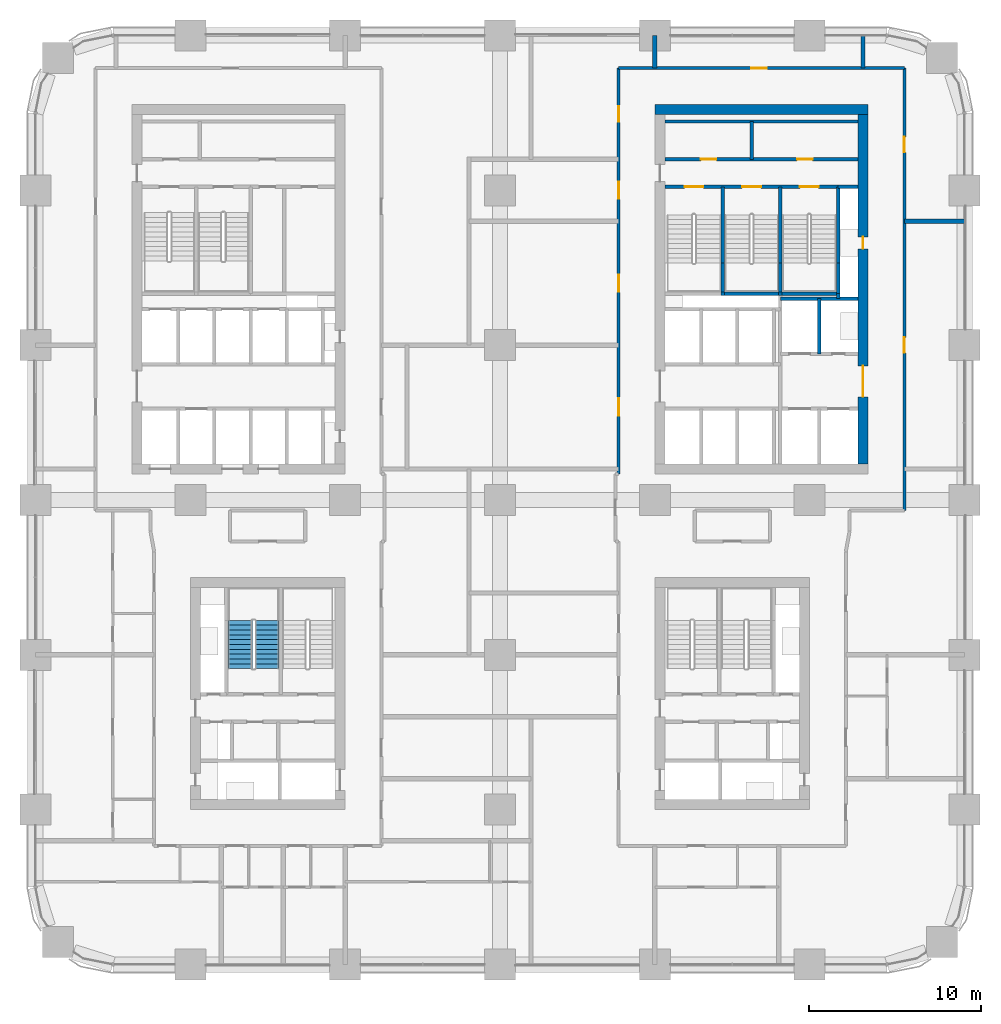
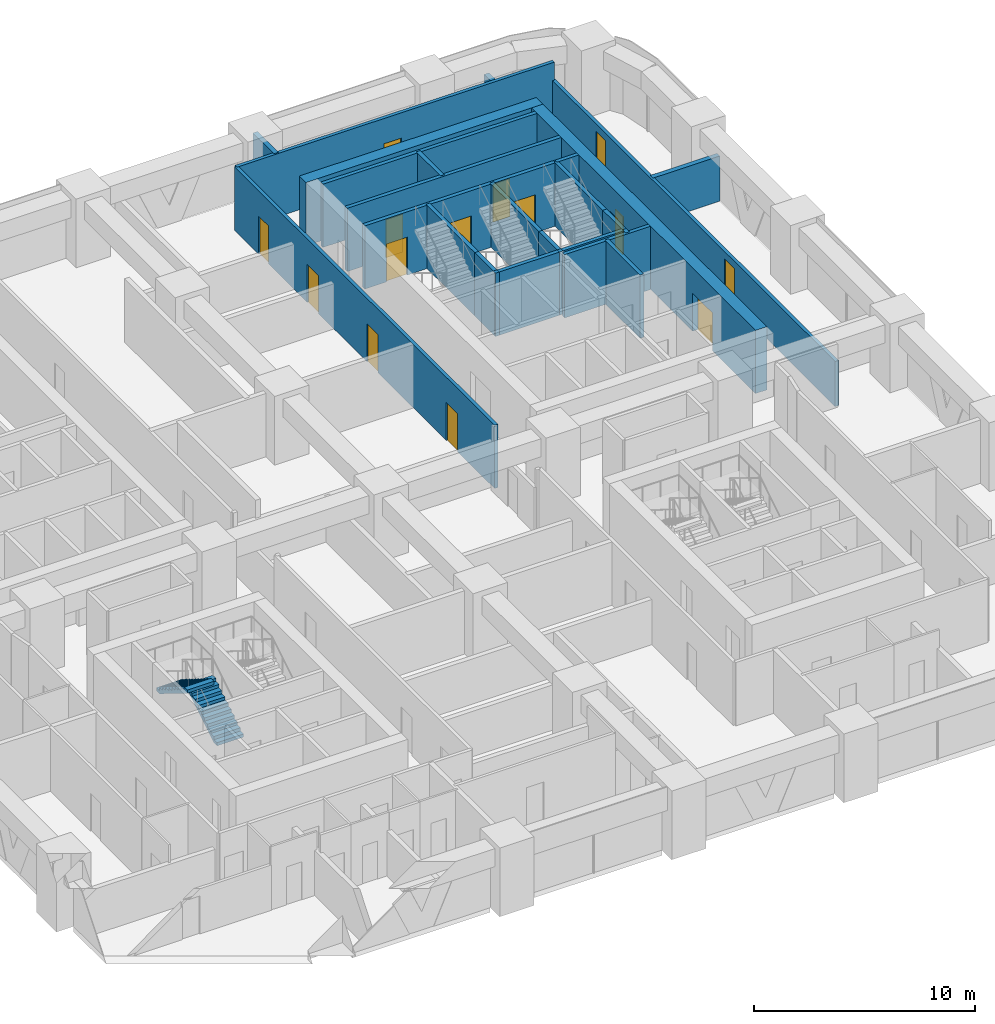
# One storey, part 18 of 21: 26 walls, 14 doors, 2 stair flights, 14 openings, 1 element without a shape of its own.
"""IFC4 building model written with IfcOpenShell, lengths in metres."""

from ifc_helpers import new_model, si_unit, direction, frame, frame_2d, origin, place, context, subcontext, project, spatial, polyline, rectangle, outline, extrude, material, layer, layer_set, type_object, element, fill, aggregate, save


model = new_model("IFC4")

# Units and contexts
model_context = context("Model", 3, precision=1e-05, world=origin(), true_north=direction((0.0, 1.0)))
body_context = subcontext(model_context, "Body", "Model", "MODEL_VIEW")
ifc_project = project(units=[si_unit("LENGTHUNIT", "METRE"), si_unit("AREAUNIT", "SQUARE_METRE"), si_unit("VOLUMEUNIT", "CUBIC_METRE"), si_unit("PLANEANGLEUNIT", "RADIAN"), si_unit("MASSUNIT", "GRAM", prefix="KILO")], contexts=[model_context])

# Site, building, storey
site_placement = place(None, origin())
site = spatial("IfcSite", under=ifc_project, at=site_placement, CompositionType="ELEMENT")
building_placement = place(site_placement, origin())
building = spatial("IfcBuilding", under=site, at=building_placement, Name="Tessera Arch", CompositionType="ELEMENT")
storey_placement = place(building_placement, frame((0.0, 0.0, 69.0)))
storey = spatial("IfcBuildingStorey", under=building, at=storey_placement, Name="L15", CompositionType="ELEMENT", Elevation=69.0)

# Wall
ifc_material_1 = material(Name="Gypsum board on steel stud", Category="steel")
ifc_layer_1 = layer(ifc_material_1, 0.125)
ifc_layer_set_1 = layer_set([ifc_layer_1], Name="Core partition 125 EI 60")
wall_type_1 = type_object("IfcWallType", Name="Core partition 125 EI 60", PredefinedType="PARTITIONING", material=ifc_layer_set_1)
wall_1_placement = place(storey_placement, frame((41.639892578125, 46.800048828125, 0.0), z_axis=(0.0, 0.0, 1.0), x_axis=(0.0, 1.0, 0.0)))
element("IfcWall", 1, at=wall_1_placement, inside=storey, type_object=wall_type_1, Name="L15 C1 partition wall 7", PredefinedType="PARTITIONING", context=body_context, shape_type="SweptSolid", body=[
    extrude(rectangle(XDim=2.199951171875, YDim=0.199951171875, at=frame_2d((1.10009765625, 0.0))), origin(), (0.0, 0.0, 1.0), 3.5),
])

# Wall, openings, doors
wall_2_placement = place(storey_placement, frame((36.60009765625, 46.800048828125, 0.0), z_axis=(0.0, 0.0, 1.0), x_axis=(1.0, 0.0, 0.0)))
wall_2 = element("IfcWall", 2, at=wall_2_placement, inside=storey, type_object=wall_type_1, Name="L15 C1 partition wall 31", PredefinedType="PARTITIONING", context=body_context, shape_type="SweptSolid", body=[
    extrude(rectangle(XDim=11.199951171875, YDim=0.199951171875, at=frame_2d((5.60009765625, 0.0))), origin(), (0.0, 0.0, 1.0), 3.5),
])
opening_1_placement = place(wall_2_placement, frame((2.070068359375, 0.0, 0.0)))
opening_1 = element("IfcOpeningElement", 3, at=opening_1_placement, cuts=wall_2, Name="Opening L15-C12", PredefinedType="OPENING", context=body_context, shape_type="SweptSolid", body=[
    extrude(rectangle(XDim=0.89990234375, YDim=2.10009765625, at=frame_2d((0.449951171875, 1.050048828125))), frame((0.0, 0.10986328125, 0.0), z_axis=(0.0, -1.0, 0.0), x_axis=(1.0, 0.0, 0.0)), (0.0, 0.0, 1.0), 0.219970703125),
])
opening_2_placement = place(wall_2_placement, frame((7.669921875, 0.0, 0.0)))
opening_2 = element("IfcOpeningElement", 4, at=opening_2_placement, cuts=wall_2, Name="Opening L15-C13", PredefinedType="OPENING", context=body_context, shape_type="SweptSolid", body=[
    extrude(rectangle(XDim=0.89990234375, YDim=2.10009765625, at=frame_2d((0.449951171875, 1.050048828125))), frame((0.0, 0.10986328125, 0.0), z_axis=(0.0, -1.0, 0.0), x_axis=(1.0, 0.0, 0.0)), (0.0, 0.0, 1.0), 0.219970703125),
])
ifc_material_2 = material(Name="Steel door leaf", Category="steel")
door_type_1 = type_object("IfcDoorType", Name="Store door FD30S 900 x 2100", OperationType="SINGLE_SWING_LEFT", PredefinedType="DOOR", material=ifc_material_2)
door_1_placement = place(opening_1_placement, origin())
door_1 = element("IfcDoor", 5, at=door_1_placement, inside=storey, type_object=door_type_1, Name="L15 C1 door 12 C12 type D09", OperationType="SINGLE_SWING_LEFT", OverallHeight=2.10009765625, OverallWidth=0.89990234375, PredefinedType="DOOR", context=body_context, shape_type="SweptSolid", body=[
    extrude(rectangle(XDim=0.89990234375, YDim=2.10009765625, at=frame_2d((0.449951171875, 1.050048828125))), frame((0.0, 0.02490234375, 0.0), z_axis=(0.0, -1.0, 0.0), x_axis=(1.0, 0.0, 0.0)), (0.0, 0.0, 1.0), 0.050048828125),
])
fill(opening_1, door_1)
door_2_placement = place(opening_2_placement, origin())
door_2 = element("IfcDoor", 6, at=door_2_placement, inside=storey, type_object=door_type_1, Name="L15 C1 door 13 C13 type D09", OperationType="SINGLE_SWING_RIGHT", OverallHeight=2.10009765625, OverallWidth=0.89990234375, PredefinedType="DOOR", context=body_context, shape_type="SweptSolid", body=[
    extrude(rectangle(XDim=0.89990234375, YDim=2.10009765625, at=frame_2d((0.449951171875, 1.050048828125))), frame((0.0, 0.02490234375, 0.0), z_axis=(0.0, -1.0, 0.0), x_axis=(1.0, 0.0, 0.0)), (0.0, 0.0, 1.0), 0.050048828125),
])
fill(opening_2, door_2)

# Walls
wall_3_placement = place(storey_placement, frame((36.60009765625, 49.0, 0.0), z_axis=(0.0, 0.0, 1.0), x_axis=(1.0, 0.0, 0.0)))
element("IfcWall", 7, at=wall_3_placement, inside=storey, type_object=wall_type_1, Name="L15 C1 partition wall 32", PredefinedType="PARTITIONING", context=body_context, shape_type="SweptSolid", body=[
    extrude(rectangle(XDim=11.199951171875, YDim=0.199951171875, at=frame_2d((5.60009765625, 0.0))), origin(), (0.0, 0.0, 1.0), 3.5),
])
ifc_material_3 = material(Name="Concrete C70/85", Category="concrete")
ifc_layer_2 = layer(ifc_material_3, 0.60009765625)
ifc_layer_set_2 = layer_set([ifc_layer_2], Name="Core shell wall 600 C70-85")
wall_type_2 = type_object("IfcWallType", Name="Core shell wall 600 C70-85", PredefinedType="SHEAR", material=ifc_layer_set_2)
wall_4_placement = place(storey_placement, frame((36.0, 49.699951171875, 0.0), z_axis=(0.0, 0.0, 1.0), x_axis=(1.0, 0.0, 0.0)))
element("IfcWall", 8, at=wall_4_placement, inside=storey, type_object=wall_type_2, Name="L15 C1 core wall N", PredefinedType="SHEAR", context=body_context, shape_type="SweptSolid", body=[
    extrude(rectangle(XDim=12.39990234375, YDim=0.60009765625, at=frame_2d((6.199951171875, 0.0))), origin(), (0.0, 0.0, 1.0), 3.5),
])

# Wall, openings, doors
wall_5_placement = place(storey_placement, frame((48.10009765625, 29.10009765625, 0.0), z_axis=(0.0, 0.0, 1.0), x_axis=(0.0, 1.0, 0.0)))
wall_5 = element("IfcWall", 9, at=wall_5_placement, inside=storey, type_object=wall_type_2, Name="L15 C1 core wall E", PredefinedType="SHEAR", context=body_context, shape_type="SweptSolid", body=[
    extrude(rectangle(XDim=20.2998046875, YDim=0.60009765625, at=frame_2d((10.14990234375, 0.0))), origin(), (0.0, 0.0, 1.0), 3.5),
])
opening_3_placement = place(wall_5_placement, frame((12.5, 0.0, 0.0)))
opening_3 = element("IfcOpeningElement", 10, at=opening_3_placement, cuts=wall_5, Name="Opening L15-C08", PredefinedType="OPENING", context=body_context, shape_type="SweptSolid", body=[
    extrude(rectangle(XDim=0.699951171875, YDim=2.10009765625, at=frame_2d((0.35009765625, 1.050048828125))), frame((0.0, 0.31005859375, 0.0), z_axis=(0.0, -1.0, 0.0), x_axis=(1.0, 0.0, 0.0)), (0.0, 0.0, 1.0), 0.6201171875),
])
opening_4_placement = place(wall_5_placement, frame((3.89990234375, 0.0, 0.0)))
opening_4 = element("IfcOpeningElement", 11, at=opening_4_placement, cuts=wall_5, Name="Opening L15-C09", PredefinedType="OPENING", context=body_context, shape_type="SweptSolid", body=[
    extrude(rectangle(XDim=1.800048828125, YDim=2.10009765625, at=frame_2d((0.89990234375, 1.050048828125))), frame((0.0, 0.31005859375, 0.0), z_axis=(0.0, -1.0, 0.0), x_axis=(1.0, 0.0, 0.0)), (0.0, 0.0, 1.0), 0.6201171875),
])
ifc_material_4 = material(Name="Glazed steel door leaf", Category="steel")
door_type_2 = type_object("IfcDoorType", Name="Lobby double door FD60 1800 x 2100", OperationType="DOUBLE_DOOR_SINGLE_SWING", PredefinedType="DOOR", material=ifc_material_4)
door_3_placement = place(opening_4_placement, origin())
door_3 = element("IfcDoor", 12, at=door_3_placement, inside=storey, type_object=door_type_2, Name="L15 C1 door 9 C09 type D19", OperationType="DOUBLE_DOOR_SINGLE_SWING", OverallHeight=2.10009765625, OverallWidth=1.800048828125, PredefinedType="DOOR", context=body_context, shape_type="SweptSolid", body=[
    extrude(rectangle(XDim=1.800048828125, YDim=2.10009765625, at=frame_2d((0.89990234375, 1.050048828125))), frame((0.0, 0.02490234375, 0.0), z_axis=(0.0, -1.0, 0.0), x_axis=(1.0, 0.0, 0.0)), (0.0, 0.0, 1.0), 0.050048828125),
])
fill(opening_4, door_3)
ifc_material_5 = material(Name="Steel door leaf", Category="steel")
door_type_3 = type_object("IfcDoorType", Name="Service shaft door FD60 700 x 2100", OperationType="SINGLE_SWING_LEFT", PredefinedType="DOOR", material=ifc_material_5)
door_4_placement = place(opening_3_placement, origin())
door_4 = element("IfcDoor", 13, at=door_4_placement, inside=storey, type_object=door_type_3, Name="L15 C1 door 8 C08 type D07", OperationType="SINGLE_SWING_RIGHT", OverallHeight=2.10009765625, OverallWidth=0.699951171875, PredefinedType="DOOR", context=body_context, shape_type="SweptSolid", body=[
    extrude(rectangle(XDim=0.699951171875, YDim=2.10009765625, at=frame_2d((0.35009765625, 1.050048828125))), frame((0.0, 0.02490234375, 0.0), z_axis=(0.0, -1.0, 0.0), x_axis=(1.0, 0.0, 0.0)), (0.0, 0.0, 1.0), 0.050048828125),
])
fill(opening_3, door_4)

# Wall, opening, door
ifc_material_6 = material(Name="Gypsum board on deep steel stud with mineral wool", Category="steel")
ifc_layer_3 = layer(ifc_material_6, 0.175048828125)
ifc_layer_set_3 = layer_set([ifc_layer_3], Name="Corridor wall 175 EI 60")
wall_type_3 = type_object("IfcWallType", Name="Corridor wall 175 EI 60", PredefinedType="PARTITIONING", material=ifc_layer_set_3)
wall_6_placement = place(storey_placement, frame((33.89990234375, 52.10009765625, 0.0), z_axis=(0.0, 0.0, 1.0), x_axis=(1.0, 0.0, 0.0)))
wall_6 = element("IfcWall", 14, at=wall_6_placement, inside=storey, type_object=wall_type_3, Name="L15 partition 14", PredefinedType="PARTITIONING", context=body_context, shape_type="SweptSolid", body=[
    extrude(rectangle(XDim=16.60009765625, YDim=0.175048828125, at=frame_2d((8.300048828125, 0.0))), origin(), (0.0, 0.0, 1.0), 3.5),
])
opening_5_placement = place(wall_6_placement, frame((7.7021484375, 0.0, 0.0)))
opening_5 = element("IfcOpeningElement", 15, at=opening_5_placement, cuts=wall_6, Name="Opening L15-D047", PredefinedType="OPENING", context=body_context, shape_type="SweptSolid", body=[
    extrude(rectangle(XDim=0.89990234375, YDim=2.10009765625, at=frame_2d((0.449951171875, 1.050048828125))), frame((0.0, 0.097412109375, 0.0), z_axis=(0.0, -1.0, 0.0), x_axis=(1.0, 0.0, 0.0)), (0.0, 0.0, 1.0), 0.195068359375),
])
ifc_material_7 = material(Name="Timber door leaf", Category="wood")
door_type_4 = type_object("IfcDoorType", Name="Room door 900 x 2100", OperationType="SINGLE_SWING_LEFT", PredefinedType="DOOR", material=ifc_material_7)
door_5_placement = place(opening_5_placement, origin())
door_5 = element("IfcDoor", 16, at=door_5_placement, inside=storey, type_object=door_type_4, Name="L15 door D047 type D01", OperationType="SINGLE_SWING_LEFT", OverallHeight=2.10009765625, OverallWidth=0.89990234375, PredefinedType="DOOR", context=body_context, shape_type="SweptSolid", body=[
    extrude(rectangle(XDim=0.89990234375, YDim=2.10009765625, at=frame_2d((0.449951171875, 1.050048828125))), frame((0.0, 0.02490234375, 0.0), z_axis=(0.0, -1.0, 0.0), x_axis=(1.0, 0.0, 0.0)), (0.0, 0.0, 1.0), 0.050048828125),
])
fill(opening_5, door_5)

# Wall, openings, doors
wall_7_placement = place(storey_placement, frame((33.89990234375, 28.52001953125, 0.0), z_axis=(0.0, 0.0, 1.0), x_axis=(0.0, 1.0, 0.0)))
wall_7 = element("IfcWall", 17, at=wall_7_placement, inside=storey, type_object=wall_type_3, Name="L15 partition 25", PredefinedType="PARTITIONING", context=body_context, shape_type="SweptSolid", body=[
    extrude(rectangle(XDim=23.580078125, YDim=0.175048828125, at=frame_2d((11.7900390625, 0.0))), origin(), (0.0, 0.0, 1.0), 3.5),
])
opening_6_placement = place(wall_7_placement, frame((3.3798828125, 0.0, 0.0)))
opening_6 = element("IfcOpeningElement", 18, at=opening_6_placement, cuts=wall_7, Name="Opening L15-D038", PredefinedType="OPENING", context=body_context, shape_type="SweptSolid", body=[
    extrude(rectangle(XDim=1.0, YDim=2.10009765625, at=frame_2d((0.5, 1.050048828125))), frame((0.0, 0.097412109375, 0.0), z_axis=(0.0, -1.0, 0.0), x_axis=(1.0, 0.0, 0.0)), (0.0, 0.0, 1.0), 0.195068359375),
])
opening_7_placement = place(wall_7_placement, frame((10.580078125, 0.0, 0.0)))
opening_7 = element("IfcOpeningElement", 19, at=opening_7_placement, cuts=wall_7, Name="Opening L15-D040", PredefinedType="OPENING", context=body_context, shape_type="SweptSolid", body=[
    extrude(rectangle(XDim=1.0, YDim=2.10009765625, at=frame_2d((0.5, 1.050048828125))), frame((0.0, 0.097412109375, 0.0), z_axis=(0.0, -1.0, 0.0), x_axis=(1.0, 0.0, 0.0)), (0.0, 0.0, 1.0), 0.195068359375),
])
opening_8_placement = place(wall_7_placement, frame((15.97998046875, 0.0, 0.0)))
opening_8 = element("IfcOpeningElement", 20, at=opening_8_placement, cuts=wall_7, Name="Opening L15-D042", PredefinedType="OPENING", context=body_context, shape_type="SweptSolid", body=[
    extrude(rectangle(XDim=1.0, YDim=2.10009765625, at=frame_2d((0.5, 1.050048828125))), frame((0.0, 0.097412109375, 0.0), z_axis=(0.0, -1.0, 0.0), x_axis=(1.0, 0.0, 0.0)), (0.0, 0.0, 1.0), 0.195068359375),
])
opening_9_placement = place(wall_7_placement, frame((20.47998046875, 0.0, 0.0)))
opening_9 = element("IfcOpeningElement", 21, at=opening_9_placement, cuts=wall_7, Name="Opening L15-D045", PredefinedType="OPENING", context=body_context, shape_type="SweptSolid", body=[
    extrude(rectangle(XDim=0.89990234375, YDim=2.10009765625, at=frame_2d((0.449951171875, 1.050048828125))), frame((0.0, 0.097412109375, 0.0), z_axis=(0.0, -1.0, 0.0), x_axis=(1.0, 0.0, 0.0)), (0.0, 0.0, 1.0), 0.195068359375),
])
ifc_material_8 = material(Name="Fire-rated door leaf")
door_type_5 = type_object("IfcDoorType", Name="Entrance door FD30S 1000 x 2100", OperationType="SINGLE_SWING_LEFT", PredefinedType="DOOR", material=ifc_material_8)
door_6_placement = place(opening_6_placement, origin())
door_6 = element("IfcDoor", 22, at=door_6_placement, inside=storey, type_object=door_type_5, Name="L15 door D038 type D03", OperationType="SINGLE_SWING_RIGHT", OverallHeight=2.10009765625, OverallWidth=1.0, PredefinedType="DOOR", context=body_context, shape_type="SweptSolid", body=[
    extrude(rectangle(XDim=1.0, YDim=2.10009765625, at=frame_2d((0.5, 1.050048828125))), frame((0.0, 0.02490234375, 0.0), z_axis=(0.0, -1.0, 0.0), x_axis=(1.0, 0.0, 0.0)), (0.0, 0.0, 1.0), 0.050048828125),
])
fill(opening_6, door_6)
door_7_placement = place(opening_7_placement, origin())
door_7 = element("IfcDoor", 23, at=door_7_placement, inside=storey, type_object=door_type_5, Name="L15 door D040 type D03", OperationType="SINGLE_SWING_RIGHT", OverallHeight=2.10009765625, OverallWidth=1.0, PredefinedType="DOOR", context=body_context, shape_type="SweptSolid", body=[
    extrude(rectangle(XDim=1.0, YDim=2.10009765625, at=frame_2d((0.5, 1.050048828125))), frame((0.0, 0.02490234375, 0.0), z_axis=(0.0, -1.0, 0.0), x_axis=(1.0, 0.0, 0.0)), (0.0, 0.0, 1.0), 0.050048828125),
])
fill(opening_7, door_7)
door_8_placement = place(opening_8_placement, origin())
door_8 = element("IfcDoor", 24, at=door_8_placement, inside=storey, type_object=door_type_5, Name="L15 door D042 type D03", OperationType="SINGLE_SWING_RIGHT", OverallHeight=2.10009765625, OverallWidth=1.0, PredefinedType="DOOR", context=body_context, shape_type="SweptSolid", body=[
    extrude(rectangle(XDim=1.0, YDim=2.10009765625, at=frame_2d((0.5, 1.050048828125))), frame((0.0, 0.02490234375, 0.0), z_axis=(0.0, -1.0, 0.0), x_axis=(1.0, 0.0, 0.0)), (0.0, 0.0, 1.0), 0.050048828125),
])
fill(opening_8, door_8)
door_9_placement = place(opening_9_placement, origin())
door_9 = element("IfcDoor", 25, at=door_9_placement, inside=storey, type_object=door_type_4, Name="L15 door D045 type D01", OperationType="SINGLE_SWING_LEFT", OverallHeight=2.10009765625, OverallWidth=0.89990234375, PredefinedType="DOOR", context=body_context, shape_type="SweptSolid", body=[
    extrude(rectangle(XDim=0.89990234375, YDim=2.10009765625, at=frame_2d((0.449951171875, 1.050048828125))), frame((0.0, 0.02490234375, 0.0), z_axis=(0.0, -1.0, 0.0), x_axis=(1.0, 0.0, 0.0)), (0.0, 0.0, 1.0), 0.050048828125),
])
fill(opening_9, door_9)

wall_8_placement = place(storey_placement, frame((50.5, 26.39990234375, 0.0), z_axis=(0.0, 0.0, 1.0), x_axis=(0.0, 1.0, 0.0)))
wall_8 = element("IfcWall", 26, at=wall_8_placement, inside=storey, type_object=wall_type_3, Name="L15 partition 30", PredefinedType="PARTITIONING", context=body_context, shape_type="SweptSolid", body=[
    extrude(rectangle(XDim=25.7001953125, YDim=0.175048828125, at=frame_2d((12.85009765625, 0.0))), origin(), (0.0, 0.0, 1.0), 2.5),
])
opening_10_placement = place(wall_8_placement, frame((9.14990234375, 0.0, 0.0)))
opening_10 = element("IfcOpeningElement", 27, at=opening_10_placement, cuts=wall_8, Name="Opening L15-D039", PredefinedType="OPENING", context=body_context, shape_type="SweptSolid", body=[
    extrude(rectangle(XDim=0.89990234375, YDim=2.10009765625, at=frame_2d((0.449951171875, 1.050048828125))), frame((0.0, 0.097412109375, 0.0), z_axis=(0.0, -1.0, 0.0), x_axis=(1.0, 0.0, 0.0)), (0.0, 0.0, 1.0), 0.195068359375),
])
opening_11_placement = place(wall_8_placement, frame((20.800048828125, 0.0, 0.0)))
opening_11 = element("IfcOpeningElement", 28, at=opening_11_placement, cuts=wall_8, Name="Opening L15-D044", PredefinedType="OPENING", context=body_context, shape_type="SweptSolid", body=[
    extrude(rectangle(XDim=0.89990234375, YDim=2.10009765625, at=frame_2d((0.449951171875, 1.050048828125))), frame((0.0, 0.097412109375, 0.0), z_axis=(0.0, -1.0, 0.0), x_axis=(1.0, 0.0, 0.0)), (0.0, 0.0, 1.0), 0.195068359375),
])
door_10_placement = place(opening_10_placement, origin())
door_10 = element("IfcDoor", 29, at=door_10_placement, inside=storey, type_object=door_type_4, Name="L15 door D039 type D01", OperationType="SINGLE_SWING_RIGHT", OverallHeight=2.10009765625, OverallWidth=0.89990234375, PredefinedType="DOOR", context=body_context, shape_type="SweptSolid", body=[
    extrude(rectangle(XDim=0.89990234375, YDim=2.10009765625, at=frame_2d((0.449951171875, 1.050048828125))), frame((0.0, 0.02490234375, 0.0), z_axis=(0.0, -1.0, 0.0), x_axis=(1.0, 0.0, 0.0)), (0.0, 0.0, 1.0), 0.050048828125),
])
fill(opening_10, door_10)
door_11_placement = place(opening_11_placement, origin())
door_11 = element("IfcDoor", 30, at=door_11_placement, inside=storey, type_object=door_type_4, Name="L15 door D044 type D01", OperationType="SINGLE_SWING_LEFT", OverallHeight=2.10009765625, OverallWidth=0.89990234375, PredefinedType="DOOR", context=body_context, shape_type="SweptSolid", body=[
    extrude(rectangle(XDim=0.89990234375, YDim=2.10009765625, at=frame_2d((0.449951171875, 1.050048828125))), frame((0.0, 0.02490234375, 0.0), z_axis=(0.0, -1.0, 0.0), x_axis=(1.0, 0.0, 0.0)), (0.0, 0.0, 1.0), 0.050048828125),
])
fill(opening_11, door_11)

# Walls
ifc_material_9 = material(Name="Double gypsum board on twin steel stud with acoustic mineral wool", Category="steel")
ifc_layer_4 = layer(ifc_material_9, 0.25)
ifc_layer_set_4 = layer_set([ifc_layer_4], Name="Party wall 250 EI 60")
wall_type_4 = type_object("IfcWallType", Name="Party wall 250 EI 60", PredefinedType="PARTITIONING", material=ifc_layer_set_4)
wall_9_placement = place(storey_placement, frame((50.5, 43.199951171875, 0.0), z_axis=(0.0, 0.0, 1.0), x_axis=(1.0, 0.0, 0.0)))
element("IfcWall", 31, at=wall_9_placement, inside=storey, type_object=wall_type_4, Name="L15 partition 54", PredefinedType="PARTITIONING", context=body_context, shape_type="SweptSolid", body=[
    extrude(rectangle(XDim=3.5, YDim=0.25, at=frame_2d((1.75, 0.0))), origin(), (0.0, 0.0, 1.0), 2.5),
])
wall_10_placement = place(storey_placement, frame((36.0, 52.10009765625, 0.0), z_axis=(0.0, 0.0, 1.0), x_axis=(0.0, 1.0, 0.0)))
element("IfcWall", 32, at=wall_10_placement, inside=storey, type_object=wall_type_4, Name="L15 partition 67", PredefinedType="PARTITIONING", context=body_context, shape_type="SweptSolid", body=[
    extrude(rectangle(XDim=1.89990234375, YDim=0.25, at=frame_2d((0.949951171875, 0.0))), origin(), (0.0, 0.0, 1.0), 3.5),
])
wall_11_placement = place(storey_placement, frame((48.10400390625, 52.10009765625, 0.0), z_axis=(0.0, 0.0, 1.0), x_axis=(0.0, 1.0, 0.0)))
element("IfcWall", 33, at=wall_11_placement, inside=storey, type_object=wall_type_4, Name="L15 partition 69", PredefinedType="PARTITIONING", context=body_context, shape_type="SweptSolid", body=[
    extrude(rectangle(XDim=1.89990234375, YDim=0.25, at=frame_2d((0.949951171875, 0.0))), origin(), (0.0, 0.0, 1.0), 2.5),
])
ifc_material_10 = material(Name="Concrete C40/50", Category="concrete")
ifc_layer_5 = layer(ifc_material_10, 0.199951171875)
ifc_layer_set_5 = layer_set([ifc_layer_5], Name="Shaft wall 200 EI 120")
wall_type_5 = type_object("IfcWallType", Name="Shaft wall 200 EI 120", PredefinedType="SOLIDWALL", material=ifc_layer_set_5)
wall_12_placement = place(storey_placement, frame((45.550048828125, 35.5, 0.0), z_axis=(0.0, 0.0, 1.0), x_axis=(0.0, 1.0, 0.0)))
element("IfcWall", 34, at=wall_12_placement, inside=storey, type_object=wall_type_5, Name="L15 C1 shaft wall 14", PredefinedType="SOLIDWALL", context=body_context, shape_type="SweptSolid", body=[
    extrude(rectangle(XDim=3.199951171875, YDim=0.199951171875, at=frame_2d((1.60009765625, 0.0))), origin(), (0.0, 0.0, 1.0), 3.5),
])
wall_13_placement = place(storey_placement, frame((46.64990234375, 38.699951171875, 0.0), z_axis=(0.0, 0.0, 1.0), x_axis=(0.0, 1.0, 0.0)))
element("IfcWall", 35, at=wall_13_placement, inside=storey, type_object=wall_type_5, Name="L15 C1 shaft wall 15", PredefinedType="SOLIDWALL", context=body_context, shape_type="SweptSolid", body=[
    extrude(rectangle(XDim=0.300048828125, YDim=0.199951171875, at=frame_2d((0.14990234375, 0.0))), origin(), (0.0, 0.0, 1.0), 3.5),
])
wall_14_placement = place(storey_placement, frame((43.300048828125, 38.699951171875, 0.0), z_axis=(0.0, 0.0, 1.0), x_axis=(1.0, 0.0, 0.0)))
element("IfcWall", 36, at=wall_14_placement, inside=storey, type_object=wall_type_5, Name="L15 C1 shaft wall 23", PredefinedType="SOLIDWALL", context=body_context, shape_type="SweptSolid", body=[
    extrude(rectangle(XDim=4.5, YDim=0.199951171875, at=frame_2d((2.25, 0.0))), origin(), (0.0, 0.0, 1.0), 3.5),
])
wall_15_placement = place(storey_placement, frame((46.64990234375, 45.199951171875, 0.0), z_axis=(0.0, 0.0, 1.0), x_axis=(1.0, 0.0, 0.0)))
element("IfcWall", 37, at=wall_15_placement, inside=storey, type_object=wall_type_5, Name="L15 C1 shaft wall 29", PredefinedType="SOLIDWALL", context=body_context, shape_type="SweptSolid", body=[
    extrude(rectangle(XDim=1.150146484375, YDim=0.199951171875, at=frame_2d((0.5751953125, 0.0))), origin(), (0.0, 0.0, 1.0), 3.5),
])
ifc_material_11 = material(Name="Concrete C40/50", Category="concrete")
ifc_layer_6 = layer(ifc_material_11, 0.199951171875)
ifc_layer_set_6 = layer_set([ifc_layer_6], Name="Stair well wall 200 REI 180")
wall_type_6 = type_object("IfcWallType", Name="Stair well wall 200 REI 180", PredefinedType="SOLIDWALL", material=ifc_layer_set_6)
wall_16_placement = place(storey_placement, frame((39.949951171875, 39.0, 0.0), z_axis=(0.0, 0.0, 1.0), x_axis=(0.0, 1.0, 0.0)))
element("IfcWall", 38, at=wall_16_placement, inside=storey, type_object=wall_type_6, Name="L15 C1 shaft wall 3", PredefinedType="SOLIDWALL", context=body_context, shape_type="SweptSolid", body=[
    extrude(rectangle(XDim=1.780029296875, YDim=0.199951171875, at=frame_2d((0.89013671875, 0.0))), origin(), (0.0, 0.0, 1.0), 3.5),
])
wall_17_placement = place(storey_placement, frame((39.949951171875, 40.780029296875, 0.0), z_axis=(0.0, 0.0, 1.0), x_axis=(0.0, 1.0, 0.0)))
element("IfcWall", 39, at=wall_17_placement, inside=storey, type_object=wall_type_6, Name="L15 C1 shaft wall 4", PredefinedType="SOLIDWALL", context=body_context, shape_type="SweptSolid", body=[
    extrude(rectangle(XDim=4.419921875, YDim=0.199951171875, at=frame_2d((2.2099609375, 0.0))), origin(), (0.0, 0.0, 1.0), 3.5),
])
wall_18_placement = place(storey_placement, frame((43.300048828125, 39.0, 0.0), z_axis=(0.0, 0.0, 1.0), x_axis=(0.0, 1.0, 0.0)))
element("IfcWall", 40, at=wall_18_placement, inside=storey, type_object=wall_type_6, Name="L15 C1 shaft wall 11", PredefinedType="SOLIDWALL", context=body_context, shape_type="SweptSolid", body=[
    extrude(rectangle(XDim=1.780029296875, YDim=0.199951171875, at=frame_2d((0.89013671875, 0.0))), origin(), (0.0, 0.0, 1.0), 3.5),
])
wall_19_placement = place(storey_placement, frame((43.300048828125, 40.780029296875, 0.0), z_axis=(0.0, 0.0, 1.0), x_axis=(0.0, 1.0, 0.0)))
element("IfcWall", 41, at=wall_19_placement, inside=storey, type_object=wall_type_6, Name="L15 C1 shaft wall 12", PredefinedType="SOLIDWALL", context=body_context, shape_type="SweptSolid", body=[
    extrude(rectangle(XDim=4.419921875, YDim=0.199951171875, at=frame_2d((2.2099609375, 0.0))), origin(), (0.0, 0.0, 1.0), 3.5),
])
wall_20_placement = place(storey_placement, frame((46.64990234375, 39.0, 0.0), z_axis=(0.0, 0.0, 1.0), x_axis=(0.0, 1.0, 0.0)))
element("IfcWall", 42, at=wall_20_placement, inside=storey, type_object=wall_type_6, Name="L15 C1 shaft wall 16", PredefinedType="SOLIDWALL", context=body_context, shape_type="SweptSolid", body=[
    extrude(rectangle(XDim=1.780029296875, YDim=0.199951171875, at=frame_2d((0.89013671875, 0.0))), origin(), (0.0, 0.0, 1.0), 3.5),
])
wall_21_placement = place(storey_placement, frame((46.64990234375, 40.780029296875, 0.0), z_axis=(0.0, 0.0, 1.0), x_axis=(0.0, 1.0, 0.0)))
element("IfcWall", 43, at=wall_21_placement, inside=storey, type_object=wall_type_6, Name="L15 C1 shaft wall 17", PredefinedType="SOLIDWALL", context=body_context, shape_type="SweptSolid", body=[
    extrude(rectangle(XDim=4.419921875, YDim=0.199951171875, at=frame_2d((2.2099609375, 0.0))), origin(), (0.0, 0.0, 1.0), 3.5),
])
wall_22_placement = place(storey_placement, frame((39.85009765625, 39.0, 0.0), z_axis=(0.0, 0.0, 1.0), x_axis=(1.0, 0.0, 0.0)))
element("IfcWall", 44, at=wall_22_placement, inside=storey, type_object=wall_type_6, Name="L15 C1 shaft wall 25", PredefinedType="SOLIDWALL", context=body_context, shape_type="SweptSolid", body=[
    extrude(rectangle(XDim=0.199951171875, YDim=0.199951171875, at=frame_2d((0.10009765625, 0.0))), origin(), (0.0, 0.0, 1.0), 3.5),
])
wall_23_placement = place(storey_placement, frame((40.050048828125, 39.0, 0.0), z_axis=(0.0, 0.0, 1.0), x_axis=(1.0, 0.0, 0.0)))
element("IfcWall", 45, at=wall_23_placement, inside=storey, type_object=wall_type_6, Name="L15 C1 shaft wall 26", PredefinedType="SOLIDWALL", context=body_context, shape_type="SweptSolid", body=[
    extrude(rectangle(XDim=3.14990234375, YDim=0.199951171875, at=frame_2d((1.574951171875, 0.0))), origin(), (0.0, 0.0, 1.0), 3.5),
])
wall_24_placement = place(storey_placement, frame((43.199951171875, 39.0, 0.0), z_axis=(0.0, 0.0, 1.0), x_axis=(1.0, 0.0, 0.0)))
element("IfcWall", 46, at=wall_24_placement, inside=storey, type_object=wall_type_6, Name="L15 C1 shaft wall 27", PredefinedType="SOLIDWALL", context=body_context, shape_type="SweptSolid", body=[
    extrude(rectangle(XDim=0.199951171875, YDim=0.199951171875, at=frame_2d((0.10009765625, 0.0))), origin(), (0.0, 0.0, 1.0), 3.5),
])
wall_25_placement = place(storey_placement, frame((43.39990234375, 39.0, 0.0), z_axis=(0.0, 0.0, 1.0), x_axis=(1.0, 0.0, 0.0)))
element("IfcWall", 47, at=wall_25_placement, inside=storey, type_object=wall_type_6, Name="L15 C1 shaft wall 28", PredefinedType="SOLIDWALL", context=body_context, shape_type="SweptSolid", body=[
    extrude(rectangle(XDim=3.25, YDim=0.199951171875, at=frame_2d((1.625, 0.0))), origin(), (0.0, 0.0, 1.0), 3.5),
])

# Wall, openings, doors
wall_26_placement = place(storey_placement, frame((36.60009765625, 45.199951171875, 0.0), z_axis=(0.0, 0.0, 1.0), x_axis=(1.0, 0.0, 0.0)))
wall_26 = element("IfcWall", 48, at=wall_26_placement, inside=storey, type_object=wall_type_6, Name="L15 C1 shaft wall 30", PredefinedType="SOLIDWALL", context=body_context, shape_type="SweptSolid", body=[
    extrude(rectangle(XDim=10.0498046875, YDim=0.199951171875, at=frame_2d((5.02490234375, 0.0))), origin(), (0.0, 0.0, 1.0), 3.5),
])
opening_12_placement = place(wall_26_placement, frame((1.125, 0.0, 0.0)))
opening_12 = element("IfcOpeningElement", 49, at=opening_12_placement, cuts=wall_26, Name="Opening L15-C05", PredefinedType="OPENING", context=body_context, shape_type="SweptSolid", body=[
    extrude(rectangle(XDim=1.10009765625, YDim=2.10009765625, at=frame_2d((0.550048828125, 1.050048828125))), frame((0.0, 0.10986328125, 0.0), z_axis=(0.0, -1.0, 0.0), x_axis=(1.0, 0.0, 0.0)), (0.0, 0.0, 1.0), 0.219970703125),
])
opening_13_placement = place(wall_26_placement, frame((4.47509765625, 0.0, 0.0)))
opening_13 = element("IfcOpeningElement", 50, at=opening_13_placement, cuts=wall_26, Name="Opening L15-C06", PredefinedType="OPENING", context=body_context, shape_type="SweptSolid", body=[
    extrude(rectangle(XDim=1.10009765625, YDim=2.10009765625, at=frame_2d((0.550048828125, 1.050048828125))), frame((0.0, 0.10986328125, 0.0), z_axis=(0.0, -1.0, 0.0), x_axis=(1.0, 0.0, 0.0)), (0.0, 0.0, 1.0), 0.219970703125),
])
opening_14_placement = place(wall_26_placement, frame((7.824951171875, 0.0, 0.0)))
opening_14 = element("IfcOpeningElement", 51, at=opening_14_placement, cuts=wall_26, Name="Opening L15-C07", PredefinedType="OPENING", context=body_context, shape_type="SweptSolid", body=[
    extrude(rectangle(XDim=1.10009765625, YDim=2.10009765625, at=frame_2d((0.550048828125, 1.050048828125))), frame((0.0, 0.10986328125, 0.0), z_axis=(0.0, -1.0, 0.0), x_axis=(1.0, 0.0, 0.0)), (0.0, 0.0, 1.0), 0.219970703125),
])
ifc_material_12 = material(Name="Steel door leaf", Category="steel")
door_type_6 = type_object("IfcDoorType", Name="Stair door FD60 1100 x 2100", OperationType="SINGLE_SWING_LEFT", PredefinedType="DOOR", material=ifc_material_12)
door_12_placement = place(opening_12_placement, origin())
door_12 = element("IfcDoor", 52, at=door_12_placement, inside=storey, type_object=door_type_6, Name="L15 C1 door 5 C05 type D05", OperationType="SINGLE_SWING_LEFT", OverallHeight=2.10009765625, OverallWidth=1.10009765625, PredefinedType="DOOR", context=body_context, shape_type="SweptSolid", body=[
    extrude(rectangle(XDim=1.10009765625, YDim=2.10009765625, at=frame_2d((0.550048828125, 1.050048828125))), frame((0.0, 0.02490234375, 0.0), z_axis=(0.0, -1.0, 0.0), x_axis=(1.0, 0.0, 0.0)), (0.0, 0.0, 1.0), 0.050048828125),
])
fill(opening_12, door_12)
door_13_placement = place(opening_13_placement, origin())
door_13 = element("IfcDoor", 53, at=door_13_placement, inside=storey, type_object=door_type_6, Name="L15 C1 door 6 C06 type D05", OperationType="SINGLE_SWING_RIGHT", OverallHeight=2.10009765625, OverallWidth=1.10009765625, PredefinedType="DOOR", context=body_context, shape_type="SweptSolid", body=[
    extrude(rectangle(XDim=1.10009765625, YDim=2.10009765625, at=frame_2d((0.550048828125, 1.050048828125))), frame((0.0, 0.02490234375, 0.0), z_axis=(0.0, -1.0, 0.0), x_axis=(1.0, 0.0, 0.0)), (0.0, 0.0, 1.0), 0.050048828125),
])
fill(opening_13, door_13)
door_14_placement = place(opening_14_placement, origin())
door_14 = element("IfcDoor", 54, at=door_14_placement, inside=storey, type_object=door_type_6, Name="L15 C1 door 7 C07 type D05", OperationType="SINGLE_SWING_RIGHT", OverallHeight=2.10009765625, OverallWidth=1.10009765625, PredefinedType="DOOR", context=body_context, shape_type="SweptSolid", body=[
    extrude(rectangle(XDim=1.10009765625, YDim=2.10009765625, at=frame_2d((0.550048828125, 1.050048828125))), frame((0.0, 0.02490234375, 0.0), z_axis=(0.0, -1.0, 0.0), x_axis=(1.0, 0.0, 0.0)), (0.0, 0.0, 1.0), 0.050048828125),
])
fill(opening_14, door_14)

# Stair, stair flights
ifc_material_13 = material(Name="Concrete C40/50", Category="concrete")
stair_type = type_object("IfcStairType", Name="Dogleg stair 1400", PredefinedType="HALF_TURN_STAIR", material=ifc_material_13)
stair_placement = place(storey_placement, origin())
stair = element("IfcStair", 55, at=stair_placement, inside=storey, type_object=stair_type, Name="L15 S4b", PredefinedType="HALF_TURN_STAIR")
ifc_material_14 = material(Name="Concrete C40/50", Category="concrete")
stair_flight_type = type_object("IfcStairFlightType", Name="Stair flight 1400", PredefinedType="STRAIGHT", material=ifc_material_14)
stair_flight_1_placement = place(storey_placement, frame((13.449951171875, 17.199951171875, 0.0), z_axis=(0.0, 0.0, 1.0), x_axis=(0.0, 1.0, 0.0)))
stair_flight_1 = element("IfcStairFlight", 56, at=stair_flight_1_placement, type_object=stair_flight_type, Name="S4b flight 1", NumberOfRisers=11, NumberOfTreads=10, PredefinedType="STRAIGHT", RiserHeight=0.172727273, TreadLength=0.28, context=body_context, shape_type="SweptSolid", body=[
    extrude(outline(polyline([(0.0, 0.0), (0.0, 0.172607421875), (0.280029296875, 0.172607421875), (0.280029296875, 0.345458984375), (0.56005859375, 0.345458984375), (0.56005859375, 0.51806640625), (0.840087890625, 0.51806640625), (0.840087890625, 0.69091796875), (1.1201171875, 0.69091796875), (1.1201171875, 0.863525390625), (1.39990234375, 0.863525390625), (1.39990234375, 1.036376953125), (1.679931640625, 1.036376953125), (1.679931640625, 1.208984375), (1.9599609375, 1.208984375), (1.9599609375, 1.3818359375), (2.239990234375, 1.3818359375), (2.239990234375, 1.554443359375), (2.52001953125, 1.554443359375), (2.52001953125, 1.727294921875), (2.800048828125, 1.727294921875), (2.800048828125, 1.89990234375), (2.800048828125, 1.551025390625), (0.285400390625, 0.0), (0.0, 0.0)])), frame((0.0, 0.699951171875, 0.0), z_axis=(0.0, -1.0, 0.0), x_axis=(1.0, 0.0, 0.0)), (0.0, 0.0, 1.0), 1.39990234375),
])
stair_flight_2_placement = place(storey_placement, frame((11.89990234375, 20.0, 1.89990234375), z_axis=(0.0, 0.0, 1.0), x_axis=(0.0, -1.0, 0.0)))
stair_flight_2 = element("IfcStairFlight", 57, at=stair_flight_2_placement, type_object=stair_flight_type, Name="S4b flight 2", NumberOfRisers=11, NumberOfTreads=10, PredefinedType="STRAIGHT", RiserHeight=0.172727273, TreadLength=0.28, context=body_context, shape_type="SweptSolid", body=[
    extrude(outline(polyline([(0.0, 0.0), (0.0, 0.172607421875), (0.280029296875, 0.172607421875), (0.280029296875, 0.345458984375), (0.56005859375, 0.345458984375), (0.56005859375, 0.51806640625), (0.840087890625, 0.51806640625), (0.840087890625, 0.69091796875), (1.1201171875, 0.69091796875), (1.1201171875, 0.863525390625), (1.39990234375, 0.863525390625), (1.39990234375, 1.036376953125), (1.679931640625, 1.036376953125), (1.679931640625, 1.208984375), (1.9599609375, 1.208984375), (1.9599609375, 1.3818359375), (2.239990234375, 1.3818359375), (2.239990234375, 1.554443359375), (2.52001953125, 1.554443359375), (2.52001953125, 1.727294921875), (2.800048828125, 1.727294921875), (2.800048828125, 1.89990234375), (2.800048828125, 1.551025390625), (0.285400390625, 0.0), (0.0, 0.0)])), frame((0.0, 0.699951171875, 0.0), z_axis=(0.0, -1.0, 0.0), x_axis=(1.0, 0.0, 0.0)), (0.0, 0.0, 1.0), 1.39990234375),
])
aggregate(stair, [stair_flight_1, stair_flight_2])

save(model, "model.ifc")
